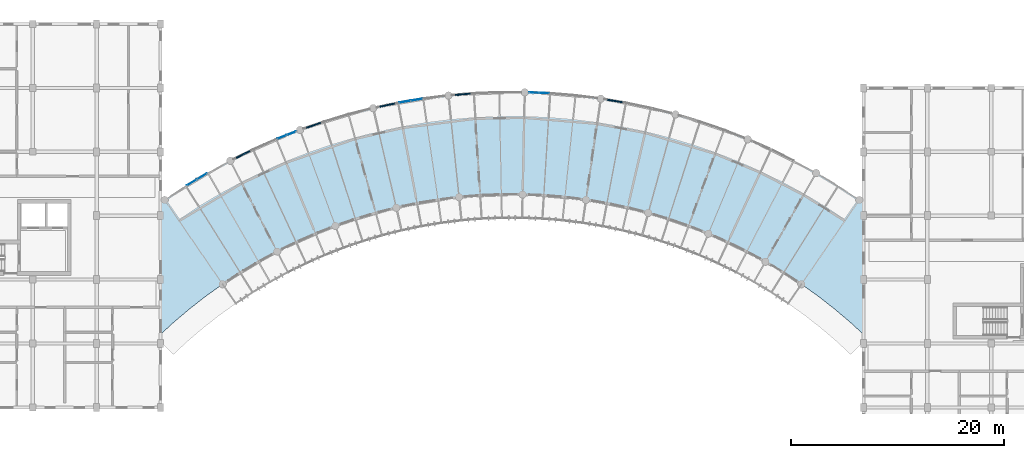
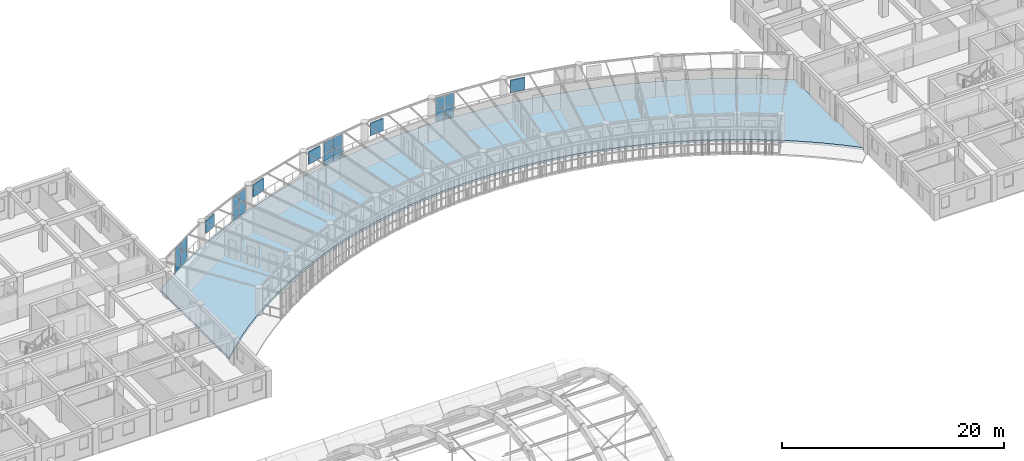
# One storey, part 66 of 123: 21 plates, 1 slab, 4 elements without a shape of their own.
"""IFC4 building model written with IfcOpenShell, lengths in metres."""

from ifc_helpers import new_model, si_unit, direction, frame, origin, origin_2d, place, context, subcontext, project, spatial, polyline, rectangle, outline, extrude, material, layer, layer_set, type_object, element, aggregate, save


model = new_model("IFC4")

# Units and contexts
model_context = context("Model", 3, precision=1e-05, world=origin(), true_north=direction((0.0, 1.0)))
body_context = subcontext(model_context, "Body", "Model", "MODEL_VIEW")
ifc_project = project(units=[si_unit("LENGTHUNIT", "METRE"), si_unit("AREAUNIT", "SQUARE_METRE"), si_unit("VOLUMEUNIT", "CUBIC_METRE"), si_unit("PLANEANGLEUNIT", "RADIAN"), si_unit("MASSUNIT", "GRAM", prefix="KILO"), si_unit("POWERUNIT", "WATT"), si_unit("THERMODYNAMICTEMPERATUREUNIT", "KELVIN")], contexts=[model_context])

# Site, building, storey
site_placement = place(None, origin())
site = spatial("IfcSite", under=ifc_project, at=site_placement, CompositionType="ELEMENT")
building_placement = place(site_placement, origin())
building = spatial("IfcBuilding", under=site, at=building_placement, Name="Ruvembo Vaulted Housing Court", CompositionType="ELEMENT")
storey_placement = place(building_placement, frame((0.0, 0.0, 7.699951171875)))
storey = spatial("IfcBuildingStorey", under=building, at=storey_placement, Name="L02", CompositionType="ELEMENT", Elevation=7.699951171875)

# Curtain wall, plates
ifc_material_1 = material(Name="Anodised Aluminium and Solar-Control Glass", Category="aluminium")
ifc_layer_1 = layer(ifc_material_1, 0.1201171875, Name="Anodised Aluminium and Solar-Control Glass")
ifc_layer_set_1 = layer_set([ifc_layer_1], Name="Anodised Aluminium and Solar-Control Glass")
curtain_wall_type_1 = type_object("IfcCurtainWallType", Name="CW-SCOOP-GAL", PredefinedType="NOTDEFINED", material=ifc_layer_set_1)
curtain_wall_1_placement = place(storey_placement, origin())
curtain_wall_1 = element("IfcCurtainWall", 1, at=curtain_wall_1_placement, inside=storey, type_object=curtain_wall_type_1, Name="L02 Curtain Wall CW-L02-0066", PredefinedType="NOTDEFINED")
ifc_material_2 = material(Name="Solar-Control Laminated Insulating Glass", Category="glass")
ifc_layer_2 = layer(ifc_material_2, 0.035888671875, Name="Solar-Control Laminated Insulating Glass")
ifc_layer_set_2 = layer_set([ifc_layer_2], Name="Solar-Control Laminated Insulating Glass")
plate_type_1 = type_object("IfcPlateType", Name="CW-PANEL-ACOUST", PredefinedType="CURTAIN_PANEL", material=ifc_layer_set_2)
plate_1_placement = place(storey_placement, frame((95.394775390625, 103.384765625, 0.06005859375), z_axis=(0.0, 0.0, 1.0), x_axis=(0.930994287216, 0.365033747989, 0.0)))
plate_1 = element("IfcPlate", 2, at=plate_1_placement, type_object=plate_type_1, Name="CW6 panel 1.1", PredefinedType="CURTAIN_PANEL", context=body_context, shape_type="SweptSolid", body=[
    extrude(rectangle(XDim=0.89794921875, YDim=0.035888671875, at=origin_2d()), origin(), (0.0, 0.0, 1.0), 1.259033203125),
])
plate_2_placement = place(storey_placement, frame((95.394775390625, 103.384765625, 1.37890625), z_axis=(0.0, 0.0, 1.0), x_axis=(0.930994287216, 0.365033747989, 0.0)))
plate_2 = element("IfcPlate", 3, at=plate_2_placement, type_object=plate_type_1, Name="CW6 panel 1.2", PredefinedType="CURTAIN_PANEL", context=body_context, shape_type="SweptSolid", body=[
    extrude(rectangle(XDim=0.89794921875, YDim=0.035888671875, at=origin_2d()), origin(), (0.0, 0.0, 1.0), 1.259033203125),
])
plate_3_placement = place(storey_placement, frame((96.291015625, 103.736328125, 0.06005859375), z_axis=(0.0, 0.0, 1.0), x_axis=(0.930994287216, 0.365033747989, 0.0)))
plate_3 = element("IfcPlate", 4, at=plate_3_placement, type_object=plate_type_1, Name="CW6 panel 2.1", PredefinedType="CURTAIN_PANEL", context=body_context, shape_type="SweptSolid", body=[
    extrude(rectangle(XDim=0.89794921875, YDim=0.035888671875, at=origin_2d()), origin(), (0.0, 0.0, 1.0), 1.259033203125),
])
plate_4_placement = place(storey_placement, frame((96.291015625, 103.736328125, 1.37890625), z_axis=(0.0, 0.0, 1.0), x_axis=(0.930994287216, 0.365033747989, 0.0)))
plate_4 = element("IfcPlate", 5, at=plate_4_placement, type_object=plate_type_1, Name="CW6 panel 2.2", PredefinedType="CURTAIN_PANEL", context=body_context, shape_type="SweptSolid", body=[
    extrude(rectangle(XDim=0.89794921875, YDim=0.035888671875, at=origin_2d()), origin(), (0.0, 0.0, 1.0), 1.259033203125),
])
aggregate(curtain_wall_1, [plate_1, plate_2, plate_3, plate_4])

curtain_wall_2_placement = place(storey_placement, origin())
curtain_wall_2 = element("IfcCurtainWall", 6, at=curtain_wall_2_placement, inside=storey, type_object=curtain_wall_type_1, Name="L02 Curtain Wall CW-L02-0065", PredefinedType="NOTDEFINED")
ifc_layer_3 = layer(ifc_material_2, 0.028076171875, Name="Solar-Control Laminated Insulating Glass")
ifc_layer_set_3 = layer_set([ifc_layer_3], Name="Solar-Control Laminated Insulating Glass")
plate_type_2 = type_object("IfcPlateType", Name="CW-PANEL-GLAZED", PredefinedType="CURTAIN_PANEL", material=ifc_layer_set_3)
plate_5_placement = place(storey_placement, frame((86.931640625, 99.11767578125, 0.06005859375), z_axis=(0.0, 0.0, 1.0), x_axis=(0.85789323734, 0.513827980288, 0.0)))
plate_5 = element("IfcPlate", 7, at=plate_5_placement, type_object=plate_type_2, Name="CW6 panel 1.1", PredefinedType="CURTAIN_PANEL", context=body_context, shape_type="SweptSolid", body=[
    extrude(rectangle(XDim=1.055419921875, YDim=0.028076171875, at=origin_2d()), origin(), (0.0, 0.0, 1.0), 1.259033203125),
])
plate_6_placement = place(storey_placement, frame((86.931640625, 99.11767578125, 1.37890625), z_axis=(0.0, 0.0, 1.0), x_axis=(0.85789323734, 0.513827980288, 0.0)))
plate_6 = element("IfcPlate", 8, at=plate_6_placement, type_object=plate_type_2, Name="CW6 panel 1.2", PredefinedType="CURTAIN_PANEL", context=body_context, shape_type="SweptSolid", body=[
    extrude(rectangle(XDim=1.055419921875, YDim=0.028076171875, at=origin_2d()), origin(), (0.0, 0.0, 1.0), 1.259033203125),
])
plate_7_placement = place(storey_placement, frame((87.888427734375, 99.690673828125, 0.06005859375), z_axis=(0.0, 0.0, 1.0), x_axis=(0.85789323734, 0.513827980288, 0.0)))
plate_7 = element("IfcPlate", 9, at=plate_7_placement, type_object=plate_type_2, Name="CW6 panel 2.1", PredefinedType="CURTAIN_PANEL", context=body_context, shape_type="SweptSolid", body=[
    extrude(rectangle(XDim=1.055419921875, YDim=0.028076171875, at=origin_2d()), origin(), (0.0, 0.0, 1.0), 1.259033203125),
])
plate_8_placement = place(storey_placement, frame((87.888427734375, 99.690673828125, 1.37890625), z_axis=(0.0, 0.0, 1.0), x_axis=(0.85789323734, 0.513827980288, 0.0)))
plate_8 = element("IfcPlate", 10, at=plate_8_placement, type_object=plate_type_2, Name="CW6 panel 2.2", PredefinedType="CURTAIN_PANEL", context=body_context, shape_type="SweptSolid", body=[
    extrude(rectangle(XDim=1.055419921875, YDim=0.028076171875, at=origin_2d()), origin(), (0.0, 0.0, 1.0), 1.259033203125),
])
aggregate(curtain_wall_2, [plate_5, plate_6, plate_7, plate_8])

curtain_wall_3_placement = place(storey_placement, origin())
curtain_wall_3 = element("IfcCurtainWall", 11, at=curtain_wall_3_placement, inside=storey, type_object=curtain_wall_type_1, Name="L02 Curtain Wall CW-L02-0068", PredefinedType="NOTDEFINED")
plate_9_placement = place(storey_placement, frame((119.057373046875, 107.5517578125, 0.06005859375), z_axis=(0.0, 0.0, 1.0), x_axis=(0.999138895967, -0.041490559959, 0.0)))
plate_9 = element("IfcPlate", 12, at=plate_9_placement, type_object=plate_type_2, Name="CW6 panel 1.1", PredefinedType="CURTAIN_PANEL", context=body_context, shape_type="SweptSolid", body=[
    extrude(rectangle(XDim=0.905517578125, YDim=0.028076171875, at=origin_2d()), origin(), (0.0, 0.0, 1.0), 1.259033203125),
])
plate_10_placement = place(storey_placement, frame((119.057373046875, 107.5517578125, 1.37890625), z_axis=(0.0, 0.0, 1.0), x_axis=(0.999138895967, -0.041490559959, 0.0)))
plate_10 = element("IfcPlate", 13, at=plate_10_placement, type_object=plate_type_2, Name="CW6 panel 1.2", PredefinedType="CURTAIN_PANEL", context=body_context, shape_type="SweptSolid", body=[
    extrude(rectangle(XDim=0.905517578125, YDim=0.028076171875, at=origin_2d()), origin(), (0.0, 0.0, 1.0), 1.259033203125),
])
plate_11_placement = place(storey_placement, frame((120.02197265625, 107.51171875, 0.06005859375), z_axis=(0.0, 0.0, 1.0), x_axis=(0.999138895967, -0.041490559959, 0.0)))
plate_11 = element("IfcPlate", 14, at=plate_11_placement, type_object=plate_type_2, Name="CW6 panel 2.1", PredefinedType="CURTAIN_PANEL", context=body_context, shape_type="SweptSolid", body=[
    extrude(rectangle(XDim=0.905517578125, YDim=0.028076171875, at=origin_2d()), origin(), (0.0, 0.0, 1.0), 1.259033203125),
])
plate_12_placement = place(storey_placement, frame((120.02197265625, 107.51171875, 1.37890625), z_axis=(0.0, 0.0, 1.0), x_axis=(0.999138895967, -0.041490559959, 0.0)))
plate_12 = element("IfcPlate", 15, at=plate_12_placement, type_object=plate_type_2, Name="CW6 panel 2.2", PredefinedType="CURTAIN_PANEL", context=body_context, shape_type="SweptSolid", body=[
    extrude(rectangle(XDim=0.905517578125, YDim=0.028076171875, at=origin_2d()), origin(), (0.0, 0.0, 1.0), 1.259033203125),
])
aggregate(curtain_wall_3, [plate_9, plate_10, plate_11, plate_12])

ifc_layer_4 = layer(ifc_material_1, 0.139892578125, Name="Anodised Aluminium and Solar-Control Glass")
ifc_layer_set_4 = layer_set([ifc_layer_4], Name="Anodised Aluminium and Solar-Control Glass")
curtain_wall_type_2 = type_object("IfcCurtainWallType", Name="CW-SCOOP-PAN", PredefinedType="NOTDEFINED", material=ifc_layer_set_4)
curtain_wall_4_placement = place(storey_placement, origin())
curtain_wall_4 = element("IfcCurtainWall", 16, at=curtain_wall_4_placement, inside=storey, type_object=curtain_wall_type_2, Name="L02 Curtain Wall CW-L02-0067", PredefinedType="NOTDEFINED")
ifc_layer_5 = layer(ifc_material_2, 0.031982421875, Name="Solar-Control Laminated Insulating Glass")
ifc_layer_set_5 = layer_set([ifc_layer_5], Name="Solar-Control Laminated Insulating Glass")
plate_type_3 = type_object("IfcPlateType", Name="CW-PANEL-SOLAR", PredefinedType="CURTAIN_PANEL", material=ifc_layer_set_5)
plate_13_placement = place(storey_placement, frame((106.9306640625, 106.703125, 0.065185546875), z_axis=(0.0, 0.0, 1.0), x_axis=(0.986249615635, 0.165262505305, 0.0)))
plate_13 = element("IfcPlate", 17, at=plate_13_placement, type_object=plate_type_3, Name="CW10 panel 1.1", PredefinedType="CURTAIN_PANEL", context=body_context, shape_type="SweptSolid", body=[
    extrude(rectangle(XDim=1.06298828125, YDim=0.031982421875, at=origin_2d()), origin(), (0.0, 0.0, 1.0), 1.25146484375),
])
plate_14_placement = place(storey_placement, frame((106.9306640625, 106.703125, 1.381591796875), z_axis=(0.0, 0.0, 1.0), x_axis=(0.986249615635, 0.165262505305, 0.0)))
plate_14 = element("IfcPlate", 18, at=plate_14_placement, type_object=plate_type_3, Name="CW10 panel 1.2", PredefinedType="CURTAIN_PANEL", context=body_context, shape_type="SweptSolid", body=[
    extrude(rectangle(XDim=1.06298828125, YDim=0.031982421875, at=origin_2d()), origin(), (0.0, 0.0, 1.0), 1.25146484375),
])
plate_15_placement = place(storey_placement, frame((108.033203125, 106.887939453125, 0.065185546875), z_axis=(0.0, 0.0, 1.0), x_axis=(0.986249615635, 0.165262505305, 0.0)))
plate_15 = element("IfcPlate", 19, at=plate_15_placement, type_object=plate_type_3, Name="CW10 panel 2.1", PredefinedType="CURTAIN_PANEL", context=body_context, shape_type="SweptSolid", body=[
    extrude(rectangle(XDim=1.06298828125, YDim=0.031982421875, at=origin_2d()), origin(), (0.0, 0.0, 1.0), 1.25146484375),
])
plate_16_placement = place(storey_placement, frame((108.033203125, 106.887939453125, 1.381591796875), z_axis=(0.0, 0.0, 1.0), x_axis=(0.986249615635, 0.165262505305, 0.0)))
plate_16 = element("IfcPlate", 20, at=plate_16_placement, type_object=plate_type_3, Name="CW10 panel 2.2", PredefinedType="CURTAIN_PANEL", context=body_context, shape_type="SweptSolid", body=[
    extrude(rectangle(XDim=1.06298828125, YDim=0.031982421875, at=origin_2d()), origin(), (0.0, 0.0, 1.0), 1.25146484375),
])
aggregate(curtain_wall_4, [plate_13, plate_14, plate_15, plate_16])

# Plates
ifc_material_3 = material(Name="Perforated Glazed Ceramic Cobogo Block", Category="ceramic")
ifc_layer_6 = layer(ifc_material_3, 0.1201171875, Name="Perforated Glazed Ceramic Cobogo Block")
ifc_layer_set_6 = layer_set([ifc_layer_6], Name="Perforated Glazed Ceramic Cobogo Block")
plate_type_4 = type_object("IfcPlateType", Name="PL-COBOGO-120", PredefinedType="USERDEFINED", material=ifc_layer_set_6)
for number, where, z_axis, x_axis, name in (
    (21, (91.743408203125, 101.75390625, 1.1201171875), (0.0, 0.0, 1.0), (0.897558685292, 0.44089500616, 0.0), "Scoop SC3 L02 Ceramic Cobogo Screen #80"),
    (22, (98.367431640625, 104.490234375, 1.1201171875), (0.0, 0.0, 1.0), (0.945370740111, 0.325997183641, 0.0), "Scoop SC3 L02 Ceramic Cobogo Screen #81"),
    (23, (105.27978515625, 106.382568359375, 1.1201171875), (0.0, 0.0, 1.0), (0.978534170393, 0.206084636433, 0.0), "Scoop SC3 L02 Ceramic Cobogo Screen #82"),
    (24, (112.3740234375, 107.401611328125, 1.1201171875), (0.0, 0.0, 1.0), (0.996553930577, 0.082947353498, 0.0), "Scoop SC3 L02 Ceramic Cobogo Screen #83"),
    (25, (126.666015625, 106.770751953125, 1.1201171875), (0.0, 0.0, 1.0), (0.986245243357, -0.165288595967, 0.0), "Scoop SC3 L02 Ceramic Cobogo Screen #84"),
):
    element("IfcPlate", number, at=place(storey_placement, frame(where, z_axis=z_axis, x_axis=x_axis)), inside=storey, type_object=plate_type_4, Name=name, ObjectType="COBOGO_PANEL", PredefinedType="USERDEFINED", context=body_context, shape_type="SweptSolid", body=[
        extrude(rectangle(XDim=1.39990234375, YDim=0.1201171875, at=origin_2d()), origin(), (0.0, 0.0, 1.0), 1.360107421875),
    ])

# Slab
ifc_material_4 = material(Name="Concrete C35/45", Category="concrete")
ifc_layer_7 = layer(ifc_material_4, 0.251953125, Name="Concrete C35/45")
ifc_layer_set_7 = layer_set([ifc_layer_7], Name="Concrete C35/45")
slab_type = type_object("IfcSlabType", Name="SL-SCOOP-252", PredefinedType="FLOOR", material=ifc_layer_set_7)
slab_placement = place(storey_placement, frame((0.0, 0.0, -0.251953125)))
element("IfcSlab", 26, at=slab_placement, inside=storey, type_object=slab_type, Name="Scoop SC3 L02 Floor Slab", PredefinedType="FLOOR", context=body_context, shape_type="SweptSolid", body=[
    extrude(outline(polyline([(150.0, 84.8466796875), (150.0, 97.2001953125), (149.61376953125, 97.477294921875), (147.615478515625, 98.789794921875), (145.564453125, 100.018310546875), (143.464111328125, 101.16064453125), (141.318115234375, 102.21484375), (139.13037109375, 103.178955078125), (136.904541015625, 104.051513671875), (134.644287109375, 104.8310546875), (132.353759765625, 105.51611328125), (130.03662109375, 106.105224609375), (127.697021484375, 106.597900390625), (125.339111328125, 106.9931640625), (122.966796875, 107.2900390625), (120.584228515625, 107.48828125), (118.1953125, 107.587646484375), (115.8046875, 107.587646484375), (113.415771484375, 107.48828125), (111.033203125, 107.2900390625), (108.660888671875, 106.9931640625), (106.302978515625, 106.597900390625), (103.96337890625, 106.105224609375), (101.646240234375, 105.51611328125), (99.355712890625, 104.8310546875), (97.095458984375, 104.051513671875), (94.86962890625, 103.178955078125), (92.681884765625, 102.21484375), (90.535888671875, 101.16064453125), (88.435546875, 100.018310546875), (86.384521484375, 98.789794921875), (84.38623046875, 97.477294921875), (84.0, 97.2001953125), (84.0, 84.8466796875), (85.117919921875, 85.88232421875), (86.634521484375, 87.17431640625), (88.203369140625, 88.402587890625), (89.82177734375, 89.564453125), (91.487060546875, 90.658203125), (93.1962890625, 91.681884765625), (94.946533203125, 92.6337890625), (96.73486328125, 93.51220703125), (98.55810546875, 94.31591796875), (100.412841796875, 95.04296875), (102.29638671875, 95.6923828125), (104.205322265625, 96.26318359375), (106.13623046875, 96.75439453125), (108.085693359375, 97.1650390625), (110.05078125, 97.494384765625), (112.027587890625, 97.74169921875), (114.01318359375, 97.906982421875), (116.00390625, 97.98974609375), (117.99609375, 97.98974609375), (119.98681640625, 97.906982421875), (121.972412109375, 97.74169921875), (123.94921875, 97.494384765625), (125.914306640625, 97.1650390625), (127.86376953125, 96.75439453125), (129.794677734375, 96.26318359375), (131.70361328125, 95.6923828125), (133.587158203125, 95.04296875), (135.44189453125, 94.31591796875), (137.26513671875, 93.51220703125), (139.053466796875, 92.6337890625), (140.8037109375, 91.681884765625), (142.512939453125, 90.658203125), (144.17822265625, 89.564453125), (145.796630859375, 88.402587890625), (147.365478515625, 87.17431640625), (148.882080078125, 85.88232421875), (150.0, 84.8466796875)])), origin(), (0.0, 0.0, 1.0), 0.251953125),
])

save(model, "model.ifc")
